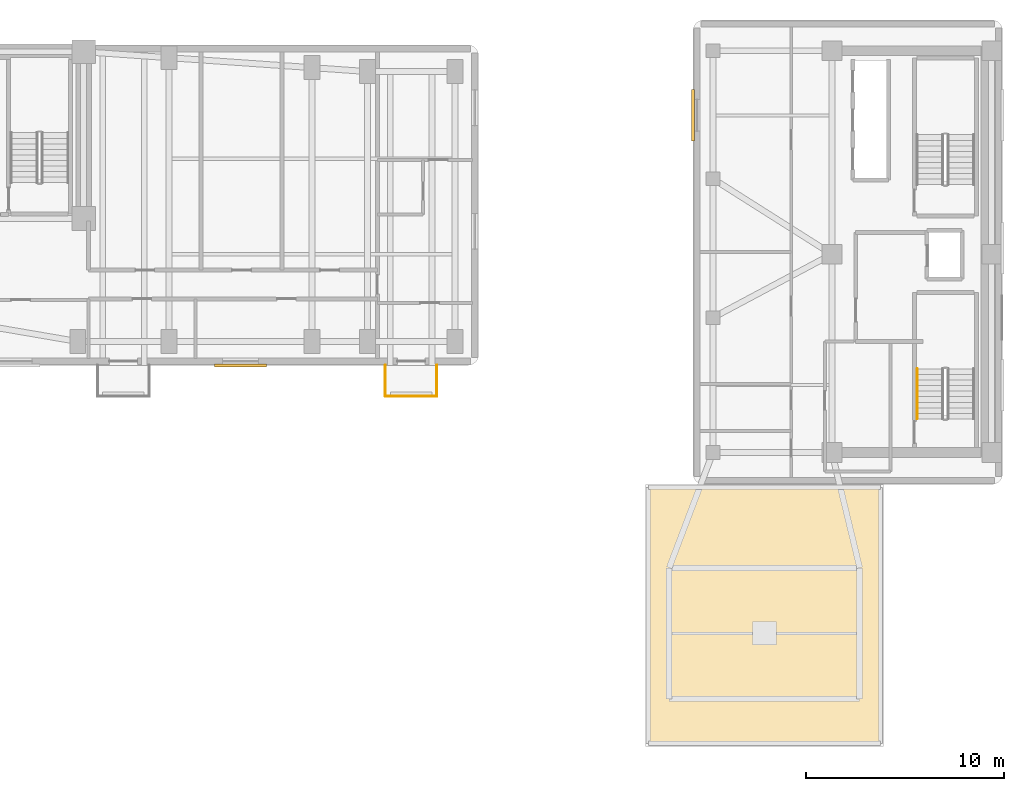
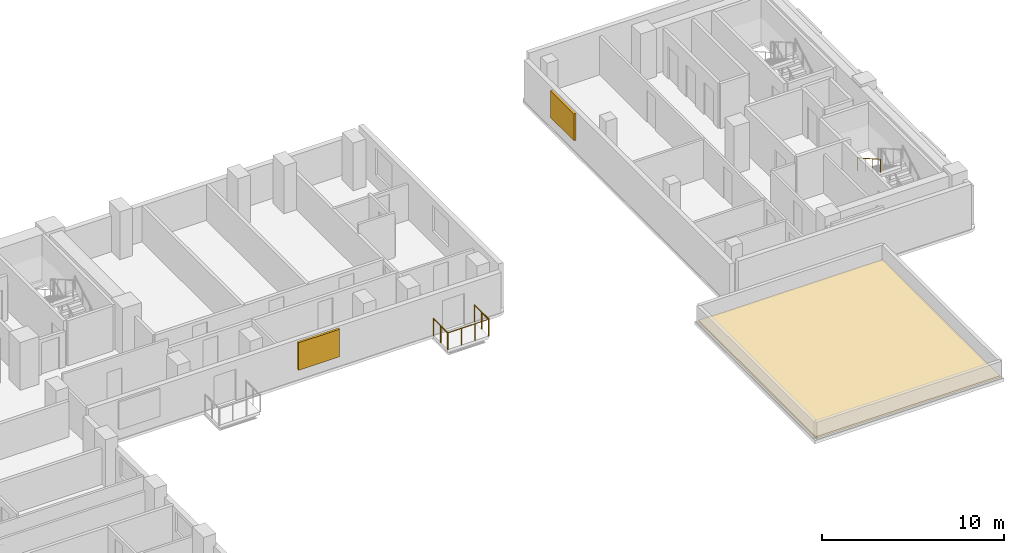
# One storey, part 10 of 11: 4 railings, 2 shading devices, 1 covering.
"""IFC4 building model written with IfcOpenShell, lengths in metres."""

import ifcopenshell
import ifcopenshell.guid

model = None  # the IFC model being written
_history = None  # IfcOwnerHistory: only IFC2X3 demands one
_inside = {}  # id of a spatial element -> (the spatial element, [elements in it])
_under = {}  # id of a project, library or spatial element -> (it, [spatial elements below it])
_declared = {}  # id of a project -> (the project, [libraries it declares])
_typed = {}  # id of a type object -> (the type object, [elements of that type])
_made_of = {}  # id of a material, layer set ... -> (it, [elements and type objects made of it])


def new_model(schema):
    """Start an empty IFC model of exactly this schema.

    Asked for "IFC4X3", IfcOpenShell would pick the latest addendum, in which some entities
    have other attributes; the version numbers below select the first issue.
    IFC2X3 requires an IfcOwnerHistory on every rooted entity: one is made here for all.
    """
    global model, _history
    if schema == "IFC4X3":
        model = ifcopenshell.file(schema_version=(4, 3, 0, 0))
    else:
        model = ifcopenshell.file(schema=schema)
    _inside.clear()
    _under.clear()
    _declared.clear()
    _typed.clear()
    _made_of.clear()
    _history = None
    if model.schema == "IFC2X3":
        org = make("IfcOrganization", Name="unknown")
        user = make(
            "IfcPersonAndOrganization",
            ThePerson=make("IfcPerson", FamilyName="unknown"),
            TheOrganization=org,
        )
        app = make(
            "IfcApplication",
            ApplicationDeveloper=org,
            Version="unknown",
            ApplicationFullName="unknown",
            ApplicationIdentifier="unknown",
        )
        _history = make(
            "IfcOwnerHistory",
            OwningUser=user,
            OwningApplication=app,
            ChangeAction="ADDED",
            CreationDate=0,
        )
    return model


def make(cls, **values):
    """One entity of the class cls with the attributes given. An attribute that is None is left unset."""
    return model.create_entity(
        cls, **{name: value for name, value in values.items() if value is not None}
    )


def rooted(cls, **values):
    """An entity with a GlobalId (a new one), such as an element, a storey or a relation."""
    return make(cls, GlobalId=ifcopenshell.guid.new(), OwnerHistory=_history, **values)


def si_unit(unit_type, name, prefix=None):
    """IfcSIUnit, for example si_unit("LENGTHUNIT", "METRE", prefix="MILLI")."""
    return make("IfcSIUnit", UnitType=unit_type, Prefix=prefix, Name=name)


def assignment(units):
    """IfcUnitAssignment: the units of a project."""
    return None if units is None else make("IfcUnitAssignment", Units=units)


def point(xyz):
    """IfcCartesianPoint."""
    return None if xyz is None else make("IfcCartesianPoint", Coordinates=xyz)


def direction(xyz):
    """IfcDirection."""
    return None if xyz is None else make("IfcDirection", DirectionRatios=xyz)


def frame(location, z_axis=None, x_axis=None):
    """IfcAxis2Placement3D, a coordinate frame: its origin and axes. An axis left out is left unset."""
    return make(
        "IfcAxis2Placement3D",
        Location=point(location),
        Axis=direction(z_axis),
        RefDirection=direction(x_axis),
    )


def frame_2d(location, x_axis=None):
    """IfcAxis2Placement2D, a coordinate frame in the plane: its origin and x axis."""
    return make(
        "IfcAxis2Placement2D", Location=point(location), RefDirection=direction(x_axis)
    )


def origin():
    """The frame at (0, 0, 0) with its axes left unset."""
    return frame((0.0, 0.0, 0.0))


def origin_2d():
    """The frame at (0, 0) in the plane with its x axis left unset."""
    return frame_2d((0.0, 0.0))


def place(relative_to, where):
    """IfcLocalPlacement: puts the frame where relative to a parent placement (None: the world)."""
    return make(
        "IfcLocalPlacement", PlacementRelTo=relative_to, RelativePlacement=where
    )


def context(
    kind, dimensions, precision=None, world=None, true_north=None, identifier=None
):
    """IfcGeometricRepresentationContext, for example the 3D "Model" context."""
    return make(
        "IfcGeometricRepresentationContext",
        ContextIdentifier=identifier,
        ContextType=kind,
        CoordinateSpaceDimension=dimensions,
        Precision=precision,
        WorldCoordinateSystem=world,
        TrueNorth=true_north,
    )


def subcontext(parent, identifier, kind, view, scale=None):
    """IfcGeometricRepresentationSubContext, for example "Body" below "Model"."""
    return make(
        "IfcGeometricRepresentationSubContext",
        ContextIdentifier=identifier,
        ContextType=kind,
        ParentContext=parent,
        TargetScale=scale,
        TargetView=view,
    )


def project(units=None, contexts=None):
    """IfcProject with its units and contexts."""
    return rooted(
        "IfcProject",
        Name="project",
        RepresentationContexts=contexts,
        UnitsInContext=assignment(units),
    )


def spatial(cls, under=None, at=None, **own):
    """A site, building, storey or space (cls), placed at a placement, below another one or the project."""
    s = rooted(cls, ObjectPlacement=at, **own)
    if under is not None:
        _under.setdefault(under.id(), (under, []))[1].append(s)
    return s


def polyline(points):
    """IfcPolyline through the points."""
    return make("IfcPolyline", Points=[point(p) for p in points])


def profile(cls, at=None, kind="AREA", **sizes):
    """A parametric profile (cls). Its sizes go by their IFC names, for example OverallWidth=200.0."""
    return make(cls, ProfileType=kind, Position=at, **sizes)


def rectangle(**sizes):
    """IfcRectangleProfileDef."""
    return profile("IfcRectangleProfileDef", **sizes)


def circle(**sizes):
    """IfcCircleProfileDef."""
    return profile("IfcCircleProfileDef", **sizes)


def outline(outer, holes=None, kind="AREA"):
    """IfcArbitraryClosedProfileDef: a profile drawn as a closed curve; with holes, ...WithVoids."""
    if holes is None:
        return make("IfcArbitraryClosedProfileDef", ProfileType=kind, OuterCurve=outer)
    return make(
        "IfcArbitraryProfileDefWithVoids",
        ProfileType=kind,
        OuterCurve=outer,
        InnerCurves=holes,
    )


def extrude(swept, where, along, depth):
    """IfcExtrudedAreaSolid: the profile swept, set in the frame where, extruded along a direction by depth."""
    return make(
        "IfcExtrudedAreaSolid",
        SweptArea=swept,
        Position=where,
        ExtrudedDirection=direction(along),
        Depth=depth,
    )


def shape(context_of_items, identifier, shape_type, items):
    """IfcShapeRepresentation: the items that make up one representation, for example the "Body"."""
    return make(
        "IfcShapeRepresentation",
        ContextOfItems=context_of_items,
        RepresentationIdentifier=identifier,
        RepresentationType=shape_type,
        Items=items,
    )


def material(Name=None, Category=None):
    """IfcMaterial."""
    return make("IfcMaterial", Name=Name, Category=Category)


def layer(
    of_material, thickness, ventilated=None, Name=None, Category=None, Priority=None
):
    """IfcMaterialLayer: one layer of a wall or slab, of a material (None: an air gap)."""
    return make(
        "IfcMaterialLayer",
        Material=of_material,
        LayerThickness=thickness,
        IsVentilated=ventilated,
        Name=Name,
        Category=Category,
        Priority=Priority,
    )


def layer_set(layers, Name=None):
    """IfcMaterialLayerSet."""
    return make("IfcMaterialLayerSet", MaterialLayers=layers, LayerSetName=Name)


def made_of(thing, what):
    """Note that an element or type object is made of a material, layer set ...; save() writes the relation."""
    if what is not None:
        _made_of.setdefault(what.id(), (what, []))[1].append(thing)
    return thing


def type_object(cls, material=None, **own):
    """A type object (cls), such as IfcWallType, which elements share."""
    return made_of(rooted(cls, **own), material)


def element(
    cls,
    number,
    at=None,
    inside=None,
    cuts=None,
    type_object=None,
    material=None,
    context=None,
    identifier="Body",
    shape_type=None,
    held_by="IfcProductDefinitionShape",
    body=None,
    shapes=None,
    **own,
):
    """One element of the class cls, such as IfcWall. Its Tag is "e" and its number.

    at: its placement. inside: the storey or other place that contains it. cuts: it is an
    opening in that element (IfcRelVoidsElement). A single representation is given by context,
    identifier, shape_type and body (its items); several are given by shapes. held_by: the class
    of the entity that holds the representations. save() writes the other relations.
    """
    e = rooted(cls, Tag="e%d" % number, ObjectPlacement=at, **own)
    if body is not None:
        shapes = [shape(context, identifier, shape_type, body)]
    if shapes is not None:
        e.Representation = make(held_by, Representations=shapes)
    if inside is not None:
        _inside.setdefault(inside.id(), (inside, []))[1].append(e)
    if cuts is not None:
        rooted(
            "IfcRelVoidsElement", RelatingBuildingElement=cuts, RelatedOpeningElement=e
        )
    if type_object is not None:
        _typed.setdefault(type_object.id(), (type_object, []))[1].append(e)
    return made_of(e, material)


def aggregate(whole, parts):
    """IfcRelAggregates: a whole, such as a stair, and the parts it consists of."""
    return rooted("IfcRelAggregates", RelatingObject=whole, RelatedObjects=parts)


def save(model, path):
    """Write the relations noted so far, then the file.

    IfcRelAggregates (storeys below a building ...), IfcRelContainedInSpatialStructure (elements
    in a storey), IfcRelDefinesByType, IfcRelAssociatesMaterial and IfcRelDeclares: one each for
    every whole, place, type object, material and project.
    """
    for whole, parts in _under.values():
        aggregate(whole, parts)
    for where, things in _inside.values():
        rooted(
            "IfcRelContainedInSpatialStructure",
            RelatedElements=things,
            RelatingStructure=where,
        )
    for kind, things in _typed.values():
        rooted("IfcRelDefinesByType", RelatedObjects=things, RelatingType=kind)
    for what, things in _made_of.values():
        rooted("IfcRelAssociatesMaterial", RelatedObjects=things, RelatingMaterial=what)
    for by, libraries in _declared.values():
        rooted("IfcRelDeclares", RelatingContext=by, RelatedDefinitions=libraries)
    model.write(path)


model = new_model("IFC4")

# Units and contexts
model_context = context("Model", 3, precision=1e-05, world=origin(), true_north=direction((0.0, 1.0)))
body_context = subcontext(model_context, "Body", "Model", "MODEL_VIEW")
ifc_project = project(units=[si_unit("LENGTHUNIT", "METRE"), si_unit("AREAUNIT", "SQUARE_METRE"), si_unit("VOLUMEUNIT", "CUBIC_METRE"), si_unit("PLANEANGLEUNIT", "RADIAN"), si_unit("MASSUNIT", "GRAM", prefix="KILO")], contexts=[model_context])

# Site, building, storey
site_placement = place(None, origin())
site = spatial("IfcSite", under=ifc_project, at=site_placement, CompositionType="ELEMENT")
building_placement = place(site_placement, origin())
building = spatial("IfcBuilding", under=site, at=building_placement, Name="Kuzgunbayir Cultural Tower", CompositionType="ELEMENT")
storey_placement = place(building_placement, frame((0.0, 0.0, 86.60009765625)))
storey = spatial("IfcBuildingStorey", under=building, at=storey_placement, Name="L24", CompositionType="ELEMENT", Elevation=86.60009765625)

# Covering
ifc_material_1 = material(Name="Anatolian Cream Limestone", Category="masonry")
ifc_layer_1 = layer(ifc_material_1, 0.1201171875)
ifc_layer_set_1 = layer_set([ifc_layer_1], Name="Anatolian Cream Limestone")
covering_type = type_object("IfcCoveringType", Name="COV-ROOF-STONE-12", PredefinedType="ROOFING", material=ifc_layer_set_1)
covering_placement = place(storey_placement, origin())
element("IfcCovering", 1, at=covering_placement, inside=storey, type_object=covering_type, Name="L24 Warm Limestone Ballasted Roof Covering", PredefinedType="ROOFING", context=body_context, shape_type="SweptSolid", body=[
    extrude(outline(polyline([(55.35009765625, 7.35009765625), (67.050048828125, 7.35009765625), (67.050048828125, 20.25), (55.35009765625, 20.25), (55.35009765625, 7.35009765625)])), origin(), (0.0, 0.0, 1.0), 0.119873046875),
])

# Railings
ifc_material_2 = material(Name="Laminated Glass and Stainless Steel", Category="steel")
ifc_layer_2 = layer(ifc_material_2, 0.080078125)
ifc_layer_set_2 = layer_set([ifc_layer_2], Name="Laminated Glass and Stainless Steel")
railing_type_1 = type_object("IfcRailingType", Name="RLG-BAL-115", PredefinedType="BALUSTRADE", material=ifc_layer_set_2)
railing_1_placement = place(storey_placement, frame((42.10009765625, 26.39990234375, 0.0)))
element("IfcRailing", 2, at=railing_1_placement, inside=storey, type_object=railing_type_1, Name="L24 Balcony Guard BAL-L24-WB3 Segment 1", PredefinedType="BALUSTRADE", context=body_context, shape_type="SweptSolid", body=[
    extrude(circle(Radius=0.02392578125, at=origin_2d()), frame((0.0, 0.0, 1.1259765625), z_axis=(0.0, -1.0, 0.0), x_axis=(1.0, 0.0, 0.0)), (0.0, 0.0, 1.0), 1.559814453125),
    extrude(circle(Radius=0.02099609375, at=origin_2d()), origin(), (0.0, 0.0, 1.0), 1.101806640625),
    extrude(circle(Radius=0.02099609375, at=origin_2d()), frame((0.0, -0.77978515625, 0.0)), (0.0, 0.0, 1.0), 1.101806640625),
    extrude(circle(Radius=0.02099609375, at=origin_2d()), frame((0.0, -1.559814453125, 0.0)), (0.0, 0.0, 1.0), 1.101806640625),
])
railing_2_placement = place(storey_placement, frame((42.10009765625, 24.840087890625, 0.0)))
element("IfcRailing", 3, at=railing_2_placement, inside=storey, type_object=railing_type_1, Name="L24 Balcony Guard BAL-L24-WB3 Segment 2", PredefinedType="BALUSTRADE", context=body_context, shape_type="SweptSolid", body=[
    extrude(circle(Radius=0.02392578125, at=origin_2d()), frame((0.0, 0.0, 1.1259765625), z_axis=(1.0, 0.0, 0.0), x_axis=(0.0, 1.0, 0.0)), (0.0, 0.0, 1.0), 2.599853515625),
    extrude(circle(Radius=0.02099609375, at=origin_2d()), origin(), (0.0, 0.0, 1.0), 1.101806640625),
    extrude(circle(Radius=0.02099609375, at=origin_2d()), frame((0.86669921875, 0.0, 0.0)), (0.0, 0.0, 1.0), 1.101806640625),
    extrude(circle(Radius=0.02099609375, at=origin_2d()), frame((1.733154296875, 0.0, 0.0)), (0.0, 0.0, 1.0), 1.101806640625),
    extrude(circle(Radius=0.02099609375, at=origin_2d()), frame((2.599853515625, 0.0, 0.0)), (0.0, 0.0, 1.0), 1.101806640625),
])
railing_3_placement = place(storey_placement, frame((44.699951171875, 24.840087890625, 0.0)))
element("IfcRailing", 4, at=railing_3_placement, inside=storey, type_object=railing_type_1, Name="L24 Balcony Guard BAL-L24-WB3 Segment 3", PredefinedType="BALUSTRADE", context=body_context, shape_type="SweptSolid", body=[
    extrude(circle(Radius=0.02392578125, at=origin_2d()), frame((0.0, 0.0, 1.1259765625), z_axis=(0.0, 1.0, 0.0), x_axis=(-1.0, 0.0, 0.0)), (0.0, 0.0, 1.0), 1.559814453125),
    extrude(circle(Radius=0.02099609375, at=origin_2d()), origin(), (0.0, 0.0, 1.0), 1.101806640625),
    extrude(circle(Radius=0.02099609375, at=origin_2d()), frame((0.0, 0.77978515625, 0.0)), (0.0, 0.0, 1.0), 1.101806640625),
    extrude(circle(Radius=0.02099609375, at=origin_2d()), frame((0.0, 1.559814453125, 0.0)), (0.0, 0.0, 1.0), 1.101806640625),
])
ifc_material_3 = material(Name="Brushed Stainless Steel", Category="steel")
ifc_layer_3 = layer(ifc_material_3, 0.050048828125)
ifc_layer_set_3 = layer_set([ifc_layer_3], Name="Brushed Stainless Steel")
railing_type_2 = type_object("IfcRailingType", Name="RLG-STAIR-HANDRAIL", PredefinedType="HANDRAIL", material=ifc_layer_set_3)
railing_4_placement = place(storey_placement, frame((68.889892578125, 26.219970703125, 1.760009765625)))
element("IfcRailing", 5, at=railing_4_placement, inside=storey, type_object=railing_type_2, Name="L24 ST-3 stair handrail 2", PredefinedType="HANDRAIL", context=body_context, shape_type="SweptSolid", body=[
    extrude(circle(Radius=0.02392578125, at=origin_2d()), frame((0.0, 0.0, 0.8759765625), z_axis=(0.0, -0.868253494771, 0.496120820787), x_axis=(1.0, 0.0, 0.0)), (0.0, 0.0, 1.0), 2.90234375),
    extrude(circle(Radius=0.02099609375, at=origin_2d()), origin(), (0.0, 0.0, 1.0), 0.851806640625),
    extrude(circle(Radius=0.02099609375, at=origin_2d()), frame((0.0, -0.840087890625, 0.47998046875)), (0.0, 0.0, 1.0), 0.851806640625),
    extrude(circle(Radius=0.02099609375, at=origin_2d()), frame((0.0, -1.679931640625, 0.9599609375)), (0.0, 0.0, 1.0), 0.851806640625),
    extrude(circle(Radius=0.02099609375, at=origin_2d()), frame((0.0, -2.52001953125, 1.43994140625)), (0.0, 0.0, 1.0), 0.851806640625),
])

# Shading devices
ifc_material_4 = material(Name="Perforated Bronze-Anodised Aluminium", Category="aluminium")
shading_device_type = type_object("IfcShadingDeviceType", Name="SHD-SOLAR-BRONZE", PredefinedType="JALOUSIE", material=ifc_material_4)
shading_device_1_placement = place(storey_placement, frame((34.800048828125, 26.389892578125, 0.724853515625), z_axis=(0.0, 0.0, 1.0), x_axis=(1.0, 0.0, 0.0)))
element("IfcShadingDevice", 6, at=shading_device_1_placement, inside=storey, type_object=shading_device_type, Name="L24 Solar Screen WBS14", PredefinedType="JALOUSIE", context=body_context, shape_type="SweptSolid", body=[
    extrude(rectangle(XDim=2.60009765625, YDim=0.139892578125, at=origin_2d()), origin(), (0.0, 0.0, 1.0), 1.85009765625),
])
shading_device_2_placement = place(storey_placement, frame((57.60009765625, 39.0, 0.7998046875), z_axis=(0.0, 0.0, 1.0), x_axis=(1.0, 0.0, 0.0)))
element("IfcShadingDevice", 7, at=shading_device_2_placement, inside=storey, type_object=shading_device_type, Name="L24 Companion Bronze Solar Screen 39", PredefinedType="JALOUSIE", context=body_context, shape_type="SweptSolid", body=[
    extrude(rectangle(XDim=0.139892578125, YDim=2.60009765625, at=origin_2d()), origin(), (0.0, 0.0, 1.0), 1.800048828125),
])

save(model, "model.ifc")
